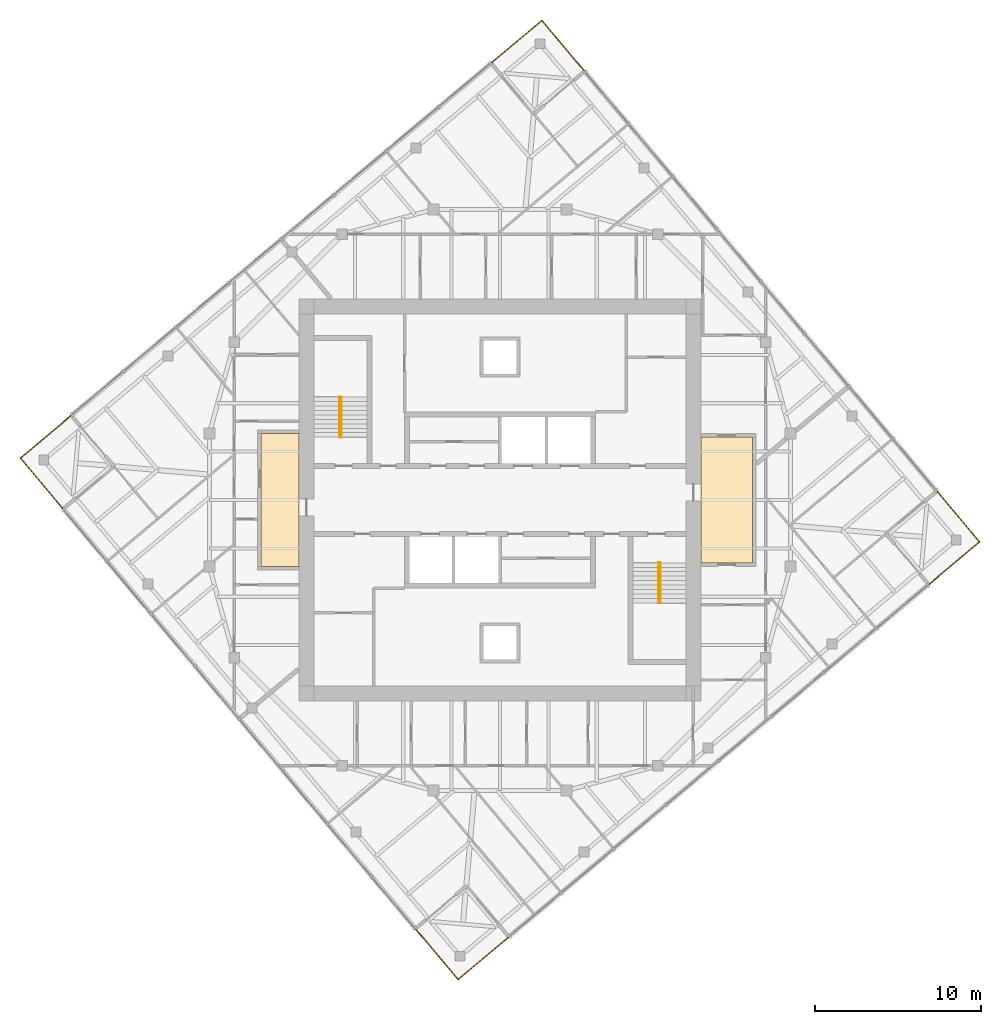
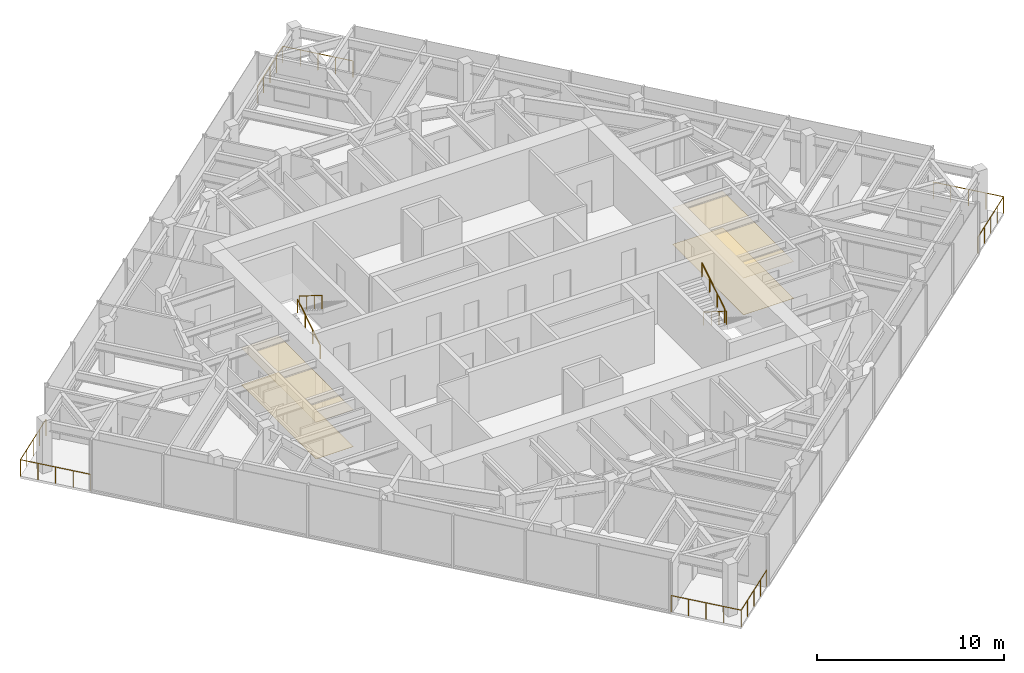
# One storey, part 12 of 12: 8 railings, 4 coverings, 2 elements without a shape of their own.
"""IFC4 building model written with IfcOpenShell, lengths in metres."""

from ifc_helpers import new_model, si_unit, direction, frame, origin, origin_2d, place, context, subcontext, project, spatial, polyline, circle, outline, extrude, material, layer, layer_set, type_object, element, aggregate, save


model = new_model("IFC4")

# Units and contexts
model_context = context("Model", 3, precision=1e-05, world=origin(), true_north=direction((0.0, 1.0)))
body_context = subcontext(model_context, "Body", "Model", "MODEL_VIEW")
ifc_project = project(units=[si_unit("LENGTHUNIT", "METRE"), si_unit("AREAUNIT", "SQUARE_METRE"), si_unit("VOLUMEUNIT", "CUBIC_METRE"), si_unit("PLANEANGLEUNIT", "RADIAN"), si_unit("MASSUNIT", "GRAM", prefix="KILO")], contexts=[model_context])

# Site, building, storey
site_placement = place(None, origin())
site = spatial("IfcSite", under=ifc_project, at=site_placement, CompositionType="ELEMENT")
building_placement = place(site_placement, origin())
building = spatial("IfcBuilding", under=site, at=building_placement, Name="Torsade Residences", CompositionType="ELEMENT")
storey_placement = place(building_placement, frame((0.0, 0.0, 289.60009765625)))
storey = spatial("IfcBuildingStorey", under=building, at=storey_placement, Name="L80", CompositionType="ELEMENT", Elevation=289.60009765625)

# Coverings
ifc_material_1 = material(Name="Nylon carpet tile on underlay", Category="textile")
ifc_layer_1 = layer(ifc_material_1, 0.010009765625)
ifc_layer_set_1 = layer_set([ifc_layer_1], Name="Nylon carpet tile on underlay")
covering_type_1 = type_object("IfcCoveringType", Name="CORRIDOR CARPET TILE 10", PredefinedType="FLOORING", material=ifc_layer_set_1)
covering_1_placement = place(storey_placement, origin())
element("IfcCovering", 1, at=covering_1_placement, inside=storey, type_object=covering_type_1, Name="Corridor carpet L80", PredefinedType="FLOORING", context=body_context, shape_type="SweptSolid", body=[
    extrude(outline(polyline([(55.199951171875, 26.199951171875), (55.199951171875, 33.800048828125), (52.10009765625, 33.800048828125), (52.10009765625, 26.199951171875), (55.199951171875, 26.199951171875)])), origin(), (0.0, 0.0, 1.0), 0.010009765625),
])
covering_2_placement = place(storey_placement, origin())
element("IfcCovering", 2, at=covering_2_placement, inside=storey, type_object=covering_type_1, Name="Corridor carpet west L80", PredefinedType="FLOORING", context=body_context, shape_type="SweptSolid", body=[
    extrude(outline(polyline([(27.89990234375, 26.0), (27.89990234375, 34.0), (25.60009765625, 34.0), (25.60009765625, 26.0), (27.89990234375, 26.0)])), origin(), (0.0, 0.0, 1.0), 0.010009765625),
])
ifc_material_2 = material(Name="Plasterboard on suspended steel grid", Category="steel")
ifc_layer_2 = layer(ifc_material_2, 0.012939453125)
ifc_layer_set_2 = layer_set([ifc_layer_2], Name="Plasterboard on suspended steel grid")
covering_type_2 = type_object("IfcCoveringType", Name="CORRIDOR SUSPENDED CEILING 13", PredefinedType="CEILING", material=ifc_layer_set_2)
covering_3_placement = place(storey_placement, frame((0.0, 0.0, 2.39990234375)))
element("IfcCovering", 3, at=covering_3_placement, inside=storey, type_object=covering_type_2, Name="Corridor ceiling L80", PredefinedType="CEILING", context=body_context, shape_type="SweptSolid", body=[
    extrude(outline(polyline([(55.199951171875, 26.199951171875), (55.199951171875, 33.800048828125), (52.10009765625, 33.800048828125), (52.10009765625, 26.199951171875), (55.199951171875, 26.199951171875)])), origin(), (0.0, 0.0, 1.0), 0.012939453125),
])
covering_4_placement = place(storey_placement, frame((0.0, 0.0, 2.39990234375)))
element("IfcCovering", 4, at=covering_4_placement, inside=storey, type_object=covering_type_2, Name="Corridor ceiling west L80", PredefinedType="CEILING", context=body_context, shape_type="SweptSolid", body=[
    extrude(outline(polyline([(27.89990234375, 26.0), (27.89990234375, 34.0), (25.60009765625, 34.0), (25.60009765625, 26.0), (27.89990234375, 26.0)])), origin(), (0.0, 0.0, 1.0), 0.012939453125),
])

# Stair, railings
ifc_material_3 = material(Name="Precast concrete 40 MPa", Category="concrete")
stair_type = type_object("IfcStairType", Name="HALF-TURN FIRE STAIR 1500x3400", PredefinedType="HALF_TURN_STAIR", material=ifc_material_3)
stair_1_placement = place(storey_placement, origin())
stair_1 = element("IfcStair", 5, at=stair_1_placement, inside=storey, type_object=stair_type, Name="Stair ST1 L80", PredefinedType="HALF_TURN_STAIR")
ifc_material_4 = material(Name="Steel handrail", Category="steel")
railing_type_1 = type_object("IfcRailingType", Name="STAIR HANDRAIL 900", PredefinedType="HANDRAIL", material=ifc_material_4)
railing_1_placement = place(storey_placement, frame((30.35009765625, 33.780029296875, 0.169921875)))
railing_1 = element("IfcRailing", 6, at=railing_1_placement, type_object=railing_type_1, Name="Handrail ST1 flight 1 L80", PredefinedType="HANDRAIL", context=body_context, shape_type="SweptSolid", body=[
    extrude(circle(Radius=0.02392578125, at=origin_2d()), frame((0.0, 0.0, 0.8759765625), z_axis=(0.0, 0.846221481393, 0.532831309544), x_axis=(-1.0, 0.0, 0.0)), (0.0, 0.0, 1.0), 2.87158203125),
    extrude(circle(Radius=0.02099609375, at=origin_2d()), origin(), (0.0, 0.0, 1.0), 0.851806640625),
    extrude(circle(Radius=0.02099609375, at=origin_2d()), frame((0.0, 0.81005859375, 0.510009765625)), (0.0, 0.0, 1.0), 0.851806640625),
    extrude(circle(Radius=0.02099609375, at=origin_2d()), frame((0.0, 1.619873046875, 1.02001953125)), (0.0, 0.0, 1.0), 0.851806640625),
    extrude(circle(Radius=0.02099609375, at=origin_2d()), frame((0.0, 2.429931640625, 1.530029296875)), (0.0, 0.0, 1.0), 0.851806640625),
])
railing_2_placement = place(storey_placement, frame((30.449951171875, 36.2099609375, 1.869873046875)))
railing_2 = element("IfcRailing", 7, at=railing_2_placement, type_object=railing_type_1, Name="Handrail ST1 flight 2 L80", PredefinedType="HANDRAIL", context=body_context, shape_type="SweptSolid", body=[
    extrude(circle(Radius=0.02392578125, at=origin_2d()), frame((0.0, 0.0, 0.8759765625), z_axis=(0.0, -0.846221481393, 0.532831309544), x_axis=(1.0, 0.0, 0.0)), (0.0, 0.0, 1.0), 2.87158203125),
    extrude(circle(Radius=0.02099609375, at=origin_2d()), origin(), (0.0, 0.0, 1.0), 0.851806640625),
    extrude(circle(Radius=0.02099609375, at=origin_2d()), frame((0.0, -0.81005859375, 0.510009765625)), (0.0, 0.0, 1.0), 0.851806640625),
    extrude(circle(Radius=0.02099609375, at=origin_2d()), frame((0.0, -1.619873046875, 1.02001953125)), (0.0, 0.0, 1.0), 0.851806640625),
    extrude(circle(Radius=0.02099609375, at=origin_2d()), frame((0.0, -2.429931640625, 1.530029296875)), (0.0, 0.0, 1.0), 0.851806640625),
])
aggregate(stair_1, [railing_1, railing_2])

stair_2_placement = place(storey_placement, origin())
stair_2 = element("IfcStair", 8, at=stair_2_placement, inside=storey, type_object=stair_type, Name="Stair ST2 L80", PredefinedType="HALF_TURN_STAIR")
railing_3_placement = place(storey_placement, frame((49.64990234375, 26.219970703125, 0.169921875)))
railing_3 = element("IfcRailing", 9, at=railing_3_placement, type_object=railing_type_1, Name="Handrail ST2 flight 1 L80", PredefinedType="HANDRAIL", context=body_context, shape_type="SweptSolid", body=[
    extrude(circle(Radius=0.02392578125, at=origin_2d()), frame((0.0, 0.0, 0.8759765625), z_axis=(0.0, -0.846221481393, 0.532831309544), x_axis=(1.0, 0.0, 0.0)), (0.0, 0.0, 1.0), 2.87158203125),
    extrude(circle(Radius=0.02099609375, at=origin_2d()), origin(), (0.0, 0.0, 1.0), 0.851806640625),
    extrude(circle(Radius=0.02099609375, at=origin_2d()), frame((0.0, -0.81005859375, 0.510009765625)), (0.0, 0.0, 1.0), 0.851806640625),
    extrude(circle(Radius=0.02099609375, at=origin_2d()), frame((0.0, -1.619873046875, 1.02001953125)), (0.0, 0.0, 1.0), 0.851806640625),
    extrude(circle(Radius=0.02099609375, at=origin_2d()), frame((0.0, -2.429931640625, 1.530029296875)), (0.0, 0.0, 1.0), 0.851806640625),
])
railing_4_placement = place(storey_placement, frame((49.550048828125, 23.7900390625, 1.869873046875)))
railing_4 = element("IfcRailing", 10, at=railing_4_placement, type_object=railing_type_1, Name="Handrail ST2 flight 2 L80", PredefinedType="HANDRAIL", context=body_context, shape_type="SweptSolid", body=[
    extrude(circle(Radius=0.02392578125, at=origin_2d()), frame((0.0, 0.0, 0.8759765625), z_axis=(0.0, 0.846221481393, 0.532831309544), x_axis=(-1.0, 0.0, 0.0)), (0.0, 0.0, 1.0), 2.87158203125),
    extrude(circle(Radius=0.02099609375, at=origin_2d()), origin(), (0.0, 0.0, 1.0), 0.851806640625),
    extrude(circle(Radius=0.02099609375, at=origin_2d()), frame((0.0, 0.81005859375, 0.510009765625)), (0.0, 0.0, 1.0), 0.851806640625),
    extrude(circle(Radius=0.02099609375, at=origin_2d()), frame((0.0, 1.619873046875, 1.02001953125)), (0.0, 0.0, 1.0), 0.851806640625),
    extrude(circle(Radius=0.02099609375, at=origin_2d()), frame((0.0, 2.429931640625, 1.530029296875)), (0.0, 0.0, 1.0), 0.851806640625),
])
aggregate(stair_2, [railing_3, railing_4])

# Railings
ifc_material_5 = material(Name="Laminated glass balustrade", Category="glass")
railing_type_2 = type_object("IfcRailingType", Name="TERRACE GLASS BALUSTRADE 1100", PredefinedType="BALUSTRADE", material=ifc_material_5)
railing_5_placement = place(storey_placement, frame((65.81689453125, 24.902099609375, 0.0)))
element("IfcRailing", 11, at=railing_5_placement, inside=storey, type_object=railing_type_2, Name="Terrace balustrade SE L80", PredefinedType="BALUSTRADE", context=body_context, shape_type="SweptSolid", body=[
    extrude(circle(Radius=0.02392578125, at=origin_2d()), frame((0.0, 0.0, 1.076171875), z_axis=(0.766060656284, 0.642768287094, 0.0), x_axis=(-0.642768287094, 0.766060656284, 0.0)), (0.0, 0.0, 1.0), 4.0),
    extrude(circle(Radius=0.02392578125, at=origin_2d()), frame((3.064208984375, 2.571044921875, 1.076171875), z_axis=(-0.642804103796, 0.766030602615, 0.0), x_axis=(-0.766030602615, -0.642804103796, 0.0)), (0.0, 0.0, 1.0), 4.0),
    extrude(circle(Radius=0.02099609375, at=origin_2d()), origin(), (0.0, 0.0, 1.0), 1.052001953125),
    extrude(circle(Radius=0.02099609375, at=origin_2d()), frame((0.76611328125, 0.642822265625, 0.0)), (0.0, 0.0, 1.0), 1.052001953125),
    extrude(circle(Radius=0.02099609375, at=origin_2d()), frame((1.5322265625, 1.28564453125, 0.0)), (0.0, 0.0, 1.0), 1.052001953125),
    extrude(circle(Radius=0.02099609375, at=origin_2d()), frame((2.298095703125, 1.92822265625, 0.0)), (0.0, 0.0, 1.0), 1.052001953125),
    extrude(circle(Radius=0.02099609375, at=origin_2d()), frame((3.064208984375, 2.571044921875, 0.0)), (0.0, 0.0, 1.0), 1.052001953125),
    extrude(circle(Radius=0.02099609375, at=origin_2d()), frame((2.42138671875, 3.337158203125, 0.0)), (0.0, 0.0, 1.0), 1.052001953125),
    extrude(circle(Radius=0.02099609375, at=origin_2d()), frame((1.778564453125, 4.10302734375, 0.0)), (0.0, 0.0, 1.0), 1.052001953125),
    extrude(circle(Radius=0.02099609375, at=origin_2d()), frame((1.1357421875, 4.869140625, 0.0)), (0.0, 0.0, 1.0), 1.052001953125),
    extrude(circle(Radius=0.02099609375, at=origin_2d()), frame((0.492919921875, 5.63525390625, 0.0)), (0.0, 0.0, 1.0), 1.052001953125),
])
railing_6_placement = place(storey_placement, frame((45.097900390625, 55.81689453125, 0.0)))
element("IfcRailing", 12, at=railing_6_placement, inside=storey, type_object=railing_type_2, Name="Terrace balustrade NE L80", PredefinedType="BALUSTRADE", context=body_context, shape_type="SweptSolid", body=[
    extrude(circle(Radius=0.02392578125, at=origin_2d()), frame((0.0, 0.0, 1.076171875), z_axis=(-0.642768287094, 0.766060656284, 0.0), x_axis=(-0.766060656284, -0.642768287094, 0.0)), (0.0, 0.0, 1.0), 4.0),
    extrude(circle(Radius=0.02392578125, at=origin_2d()), frame((-2.571044921875, 3.064208984375, 1.076171875), z_axis=(-0.766030602615, -0.642804103796, 0.0), x_axis=(0.642804103796, -0.766030602615, 0.0)), (0.0, 0.0, 1.0), 4.0),
    extrude(circle(Radius=0.02099609375, at=origin_2d()), origin(), (0.0, 0.0, 1.0), 1.052001953125),
    extrude(circle(Radius=0.02099609375, at=origin_2d()), frame((-0.642822265625, 0.76611328125, 0.0)), (0.0, 0.0, 1.0), 1.052001953125),
    extrude(circle(Radius=0.02099609375, at=origin_2d()), frame((-1.28564453125, 1.5322265625, 0.0)), (0.0, 0.0, 1.0), 1.052001953125),
    extrude(circle(Radius=0.02099609375, at=origin_2d()), frame((-1.92822265625, 2.298095703125, 0.0)), (0.0, 0.0, 1.0), 1.052001953125),
    extrude(circle(Radius=0.02099609375, at=origin_2d()), frame((-2.571044921875, 3.064208984375, 0.0)), (0.0, 0.0, 1.0), 1.052001953125),
    extrude(circle(Radius=0.02099609375, at=origin_2d()), frame((-3.337158203125, 2.42138671875, 0.0)), (0.0, 0.0, 1.0), 1.052001953125),
    extrude(circle(Radius=0.02099609375, at=origin_2d()), frame((-4.10302734375, 1.778564453125, 0.0)), (0.0, 0.0, 1.0), 1.052001953125),
    extrude(circle(Radius=0.02099609375, at=origin_2d()), frame((-4.869140625, 1.1357421875, 0.0)), (0.0, 0.0, 1.0), 1.052001953125),
    extrude(circle(Radius=0.02099609375, at=origin_2d()), frame((-5.63525390625, 0.492919921875, 0.0)), (0.0, 0.0, 1.0), 1.052001953125),
])
railing_7_placement = place(storey_placement, frame((14.18310546875, 35.097900390625, 0.0)))
element("IfcRailing", 13, at=railing_7_placement, inside=storey, type_object=railing_type_2, Name="Terrace balustrade NW L80", PredefinedType="BALUSTRADE", context=body_context, shape_type="SweptSolid", body=[
    extrude(circle(Radius=0.02392578125, at=origin_2d()), frame((0.0, 0.0, 1.076171875), z_axis=(-0.766060656284, -0.642768287094, 0.0), x_axis=(0.642768287094, -0.766060656284, 0.0)), (0.0, 0.0, 1.0), 4.0),
    extrude(circle(Radius=0.02392578125, at=origin_2d()), frame((-3.064208984375, -2.571044921875, 1.076171875), z_axis=(0.642804103796, -0.766030602615, 0.0), x_axis=(0.766030602615, 0.642804103796, 0.0)), (0.0, 0.0, 1.0), 4.0),
    extrude(circle(Radius=0.02099609375, at=origin_2d()), origin(), (0.0, 0.0, 1.0), 1.052001953125),
    extrude(circle(Radius=0.02099609375, at=origin_2d()), frame((-0.76611328125, -0.642822265625, 0.0)), (0.0, 0.0, 1.0), 1.052001953125),
    extrude(circle(Radius=0.02099609375, at=origin_2d()), frame((-1.5322265625, -1.28564453125, 0.0)), (0.0, 0.0, 1.0), 1.052001953125),
    extrude(circle(Radius=0.02099609375, at=origin_2d()), frame((-2.298095703125, -1.92822265625, 0.0)), (0.0, 0.0, 1.0), 1.052001953125),
    extrude(circle(Radius=0.02099609375, at=origin_2d()), frame((-3.064208984375, -2.571044921875, 0.0)), (0.0, 0.0, 1.0), 1.052001953125),
    extrude(circle(Radius=0.02099609375, at=origin_2d()), frame((-2.42138671875, -3.337158203125, 0.0)), (0.0, 0.0, 1.0), 1.052001953125),
    extrude(circle(Radius=0.02099609375, at=origin_2d()), frame((-1.778564453125, -4.10302734375, 0.0)), (0.0, 0.0, 1.0), 1.052001953125),
    extrude(circle(Radius=0.02099609375, at=origin_2d()), frame((-1.1357421875, -4.869140625, 0.0)), (0.0, 0.0, 1.0), 1.052001953125),
    extrude(circle(Radius=0.02099609375, at=origin_2d()), frame((-0.492919921875, -5.63525390625, 0.0)), (0.0, 0.0, 1.0), 1.052001953125),
])
railing_8_placement = place(storey_placement, frame((34.902099609375, 4.18310546875, 0.0)))
element("IfcRailing", 14, at=railing_8_placement, inside=storey, type_object=railing_type_2, Name="Terrace balustrade SW L80", PredefinedType="BALUSTRADE", context=body_context, shape_type="SweptSolid", body=[
    extrude(circle(Radius=0.02392578125, at=origin_2d()), frame((0.0, 0.0, 1.076171875), z_axis=(0.642768287094, -0.766060656284, 0.0), x_axis=(0.766060656284, 0.642768287094, 0.0)), (0.0, 0.0, 1.0), 4.0),
    extrude(circle(Radius=0.02392578125, at=origin_2d()), frame((2.571044921875, -3.064208984375, 1.076171875), z_axis=(0.766030602615, 0.642804103796, 0.0), x_axis=(-0.642804103796, 0.766030602615, 0.0)), (0.0, 0.0, 1.0), 4.0),
    extrude(circle(Radius=0.02099609375, at=origin_2d()), origin(), (0.0, 0.0, 1.0), 1.052001953125),
    extrude(circle(Radius=0.02099609375, at=origin_2d()), frame((0.642822265625, -0.76611328125, 0.0)), (0.0, 0.0, 1.0), 1.052001953125),
    extrude(circle(Radius=0.02099609375, at=origin_2d()), frame((1.28564453125, -1.5322265625, 0.0)), (0.0, 0.0, 1.0), 1.052001953125),
    extrude(circle(Radius=0.02099609375, at=origin_2d()), frame((1.92822265625, -2.298095703125, 0.0)), (0.0, 0.0, 1.0), 1.052001953125),
    extrude(circle(Radius=0.02099609375, at=origin_2d()), frame((2.571044921875, -3.064208984375, 0.0)), (0.0, 0.0, 1.0), 1.052001953125),
    extrude(circle(Radius=0.02099609375, at=origin_2d()), frame((3.337158203125, -2.42138671875, 0.0)), (0.0, 0.0, 1.0), 1.052001953125),
    extrude(circle(Radius=0.02099609375, at=origin_2d()), frame((4.10302734375, -1.778564453125, 0.0)), (0.0, 0.0, 1.0), 1.052001953125),
    extrude(circle(Radius=0.02099609375, at=origin_2d()), frame((4.869140625, -1.1357421875, 0.0)), (0.0, 0.0, 1.0), 1.052001953125),
    extrude(circle(Radius=0.02099609375, at=origin_2d()), frame((5.63525390625, -0.492919921875, 0.0)), (0.0, 0.0, 1.0), 1.052001953125),
])

save(model, "model.ifc")
